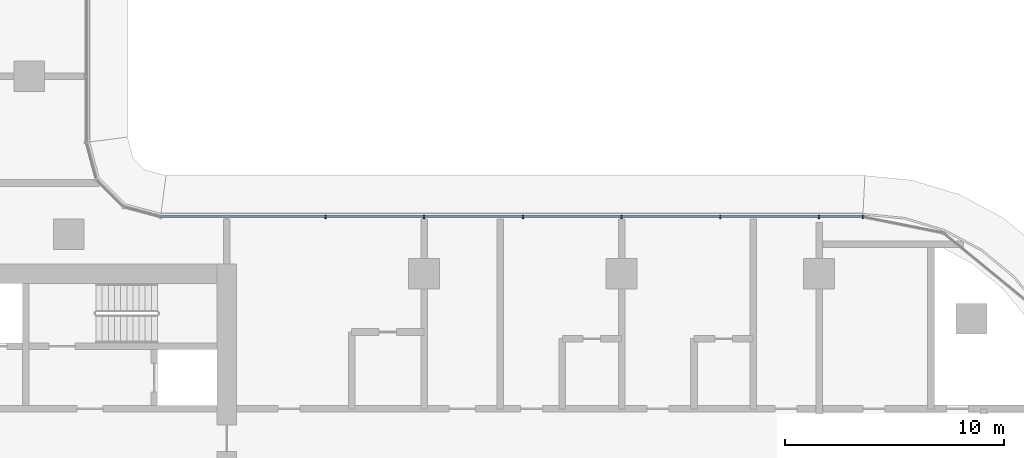
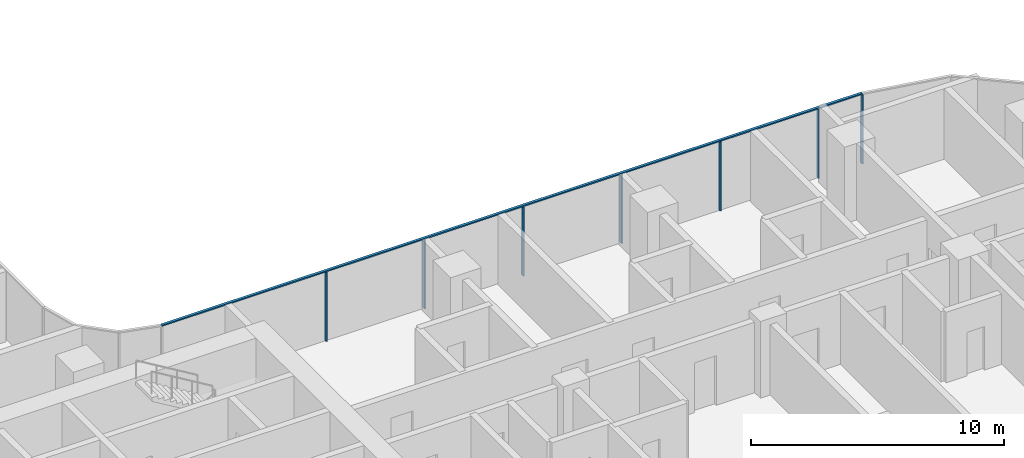
# One storey, part 4 of 36: 8 members, 1 element without a shape of its own.
"""IFC4 building model written with IfcOpenShell, lengths in metres."""

from ifc_helpers import new_model, si_unit, direction, frame, origin, origin_2d, place, context, subcontext, project, spatial, rectangle, extrude, material, material_profile, profile_set, type_object, element, aggregate, save


model = new_model("IFC4")

# Units and contexts
model_context = context("Model", 3, precision=1e-05, world=origin(), true_north=direction((0.0, 1.0)))
body_context = subcontext(model_context, "Body", "Model", "MODEL_VIEW")
ifc_project = project(units=[si_unit("LENGTHUNIT", "METRE"), si_unit("AREAUNIT", "SQUARE_METRE"), si_unit("VOLUMEUNIT", "CUBIC_METRE"), si_unit("PLANEANGLEUNIT", "RADIAN"), si_unit("MASSUNIT", "GRAM", prefix="KILO")], contexts=[model_context])

# Site, building, storey
site_placement = place(None, origin())
site = spatial("IfcSite", under=ifc_project, at=site_placement, CompositionType="ELEMENT")
building_placement = place(site_placement, origin())
building = spatial("IfcBuilding", under=site, at=building_placement, Name="Ogive Portal Towers", CompositionType="ELEMENT")
storey_placement = place(building_placement, frame((0.0, 0.0, 63.10009765625)))
storey = spatial("IfcBuildingStorey", under=building, at=storey_placement, Name="L14", CompositionType="ELEMENT", Elevation=63.10009765625)

# Curtain wall, members
ifc_material_1 = material(Name="Glass, clear low-iron insulated glazing", Category="glass")
curtain_wall_type = type_object("IfcCurtainWallType", Name="CW FRONT RIBBON 4500", PredefinedType="NOTDEFINED", material=ifc_material_1)
curtain_wall_placement = place(storey_placement, origin())
curtain_wall = element("IfcCurtainWall", 1, at=curtain_wall_placement, inside=storey, type_object=curtain_wall_type, Name="A:L14:f16:cw0", PredefinedType="NOTDEFINED")
ifc_material_2 = material(Name="Aluminium 6063 anodised", Category="aluminium")
ifc_material_profile_1 = material_profile(ifc_material_2, rectangle(XDim=0.159912109375, YDim=0.06005859375, at=origin_2d()), Name="AL 60x160")
ifc_profile_set_1 = profile_set([ifc_material_profile_1], Name="Aluminium 6063 anodised")
member_type_1 = type_object("IfcMemberType", Name="CW MULLION 60x160", PredefinedType="MULLION", material=ifc_profile_set_1)
member_1_placement = place(storey_placement, frame((87.4921875, 42.10009765625, 0.0), z_axis=(0.0, 0.0, 1.0), x_axis=(0.0, -1.0, 0.0)))
member_1 = element("IfcMember", 2, at=member_1_placement, type_object=member_type_1, Name="mullion", PredefinedType="MULLION", context=body_context, shape_type="SweptSolid", body=[
    extrude(rectangle(XDim=0.159912109375, YDim=0.06005859375, at=origin_2d()), origin(), (0.0, 0.0, 1.0), 3.33984375),
])
member_2_placement = place(storey_placement, frame((85.5, 42.10009765625, 0.0), z_axis=(0.0, 0.0, 1.0), x_axis=(0.0, -1.0, 0.0)))
member_2 = element("IfcMember", 3, at=member_2_placement, type_object=member_type_1, Name="mullion", PredefinedType="MULLION", context=body_context, shape_type="SweptSolid", body=[
    extrude(rectangle(XDim=0.159912109375, YDim=0.06005859375, at=origin_2d()), origin(), (0.0, 0.0, 1.0), 3.33984375),
])
member_3_placement = place(storey_placement, frame((81.0, 42.10009765625, 0.0), z_axis=(0.0, 0.0, 1.0), x_axis=(0.0, -1.0, 0.0)))
member_3 = element("IfcMember", 4, at=member_3_placement, type_object=member_type_1, Name="mullion", PredefinedType="MULLION", context=body_context, shape_type="SweptSolid", body=[
    extrude(rectangle(XDim=0.159912109375, YDim=0.06005859375, at=origin_2d()), origin(), (0.0, 0.0, 1.0), 3.33984375),
])
member_4_placement = place(storey_placement, frame((76.5, 42.10009765625, 0.0), z_axis=(0.0, 0.0, 1.0), x_axis=(0.0, -1.0, 0.0)))
member_4 = element("IfcMember", 5, at=member_4_placement, type_object=member_type_1, Name="mullion", PredefinedType="MULLION", context=body_context, shape_type="SweptSolid", body=[
    extrude(rectangle(XDim=0.159912109375, YDim=0.06005859375, at=origin_2d()), origin(), (0.0, 0.0, 1.0), 3.33984375),
])
member_5_placement = place(storey_placement, frame((72.0, 42.10009765625, 0.0), z_axis=(0.0, 0.0, 1.0), x_axis=(0.0, -1.0, 0.0)))
member_5 = element("IfcMember", 6, at=member_5_placement, type_object=member_type_1, Name="mullion", PredefinedType="MULLION", context=body_context, shape_type="SweptSolid", body=[
    extrude(rectangle(XDim=0.159912109375, YDim=0.06005859375, at=origin_2d()), origin(), (0.0, 0.0, 1.0), 3.33984375),
])
member_6_placement = place(storey_placement, frame((67.5, 42.10009765625, 0.0), z_axis=(0.0, 0.0, 1.0), x_axis=(0.0, -1.0, 0.0)))
member_6 = element("IfcMember", 7, at=member_6_placement, type_object=member_type_1, Name="mullion", PredefinedType="MULLION", context=body_context, shape_type="SweptSolid", body=[
    extrude(rectangle(XDim=0.159912109375, YDim=0.06005859375, at=origin_2d()), origin(), (0.0, 0.0, 1.0), 3.33984375),
])
member_7_placement = place(storey_placement, frame((63.0, 42.10009765625, 0.0), z_axis=(0.0, 0.0, 1.0), x_axis=(0.0, -1.0, 0.0)))
member_7 = element("IfcMember", 8, at=member_7_placement, type_object=member_type_1, Name="mullion", PredefinedType="MULLION", context=body_context, shape_type="SweptSolid", body=[
    extrude(rectangle(XDim=0.159912109375, YDim=0.06005859375, at=origin_2d()), origin(), (0.0, 0.0, 1.0), 3.33984375),
])
ifc_material_profile_2 = material_profile(ifc_material_2, rectangle(XDim=0.1201171875, YDim=0.06005859375, at=origin_2d()), Name="AL 120x60")
ifc_profile_set_2 = profile_set([ifc_material_profile_2], Name="Aluminium 6063 anodised")
member_type_2 = type_object("IfcMemberType", Name="CW TRANSOM 60x120", PredefinedType="USERDEFINED", material=ifc_profile_set_2)
member_8_placement = place(storey_placement, frame((87.4921875, 42.10009765625, 3.369873046875), z_axis=(-1.0, 0.0, 0.0), x_axis=(0.0, -1.0, 0.0)))
member_8 = element("IfcMember", 9, at=member_8_placement, type_object=member_type_2, Name="transom", ObjectType="TRANSOM", PredefinedType="USERDEFINED", context=body_context, shape_type="SweptSolid", body=[
    extrude(rectangle(XDim=0.1201171875, YDim=0.06005859375, at=origin_2d()), origin(), (0.0, 0.0, 1.0), 32.002685546875),
])
aggregate(curtain_wall, [member_8, member_1, member_2, member_3, member_4, member_5, member_6, member_7])

save(model, "model.ifc")
